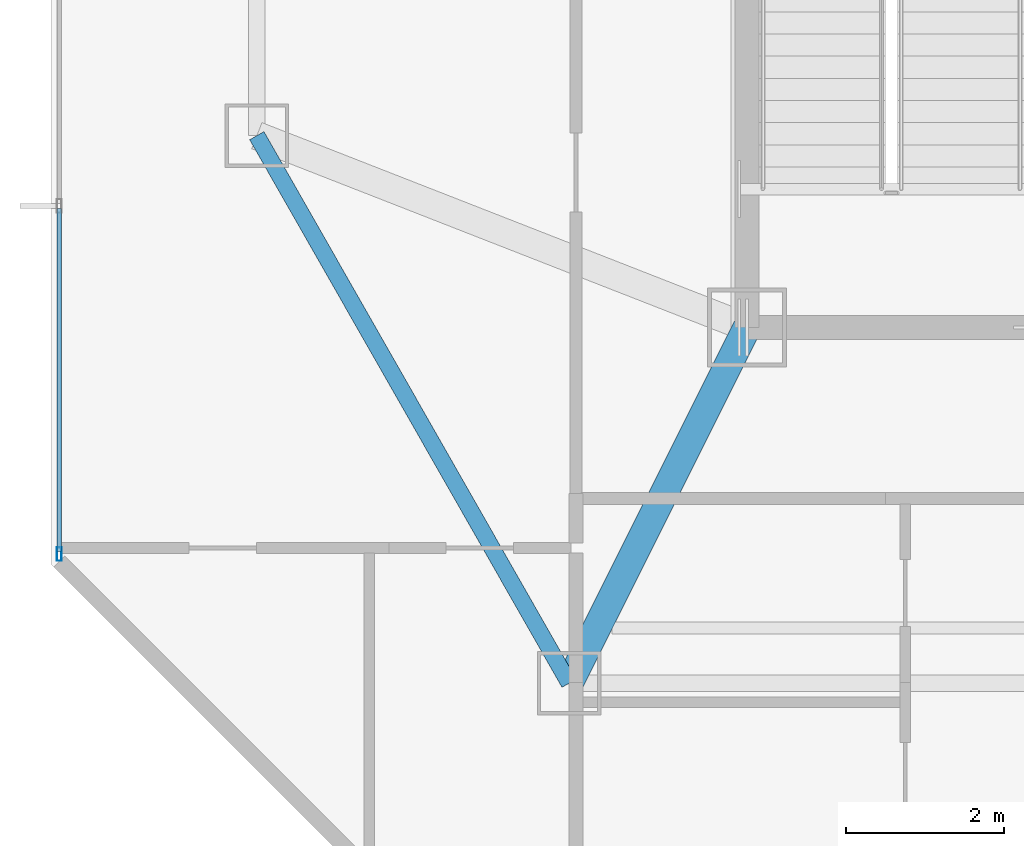
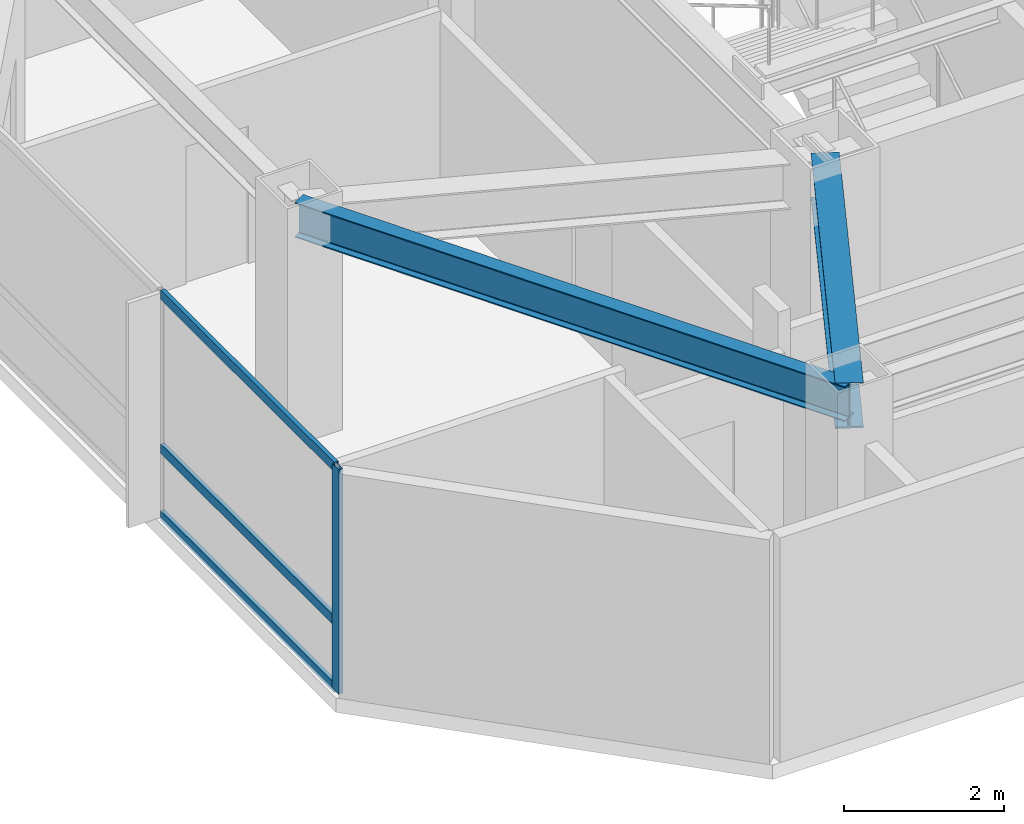
# One storey, part 2 of 14: 4 members, 2 beams, 1 element without a shape of its own.
"""IFC4 building model written with IfcOpenShell, lengths in metres."""

from ifc_helpers import new_model, si_unit, direction, frame, origin, origin_2d, place, context, subcontext, project, spatial, hollow_rectangle, i_section, extrude, material, material_profile, profile_set, type_object, element, aggregate, save


model = new_model("IFC4")

# Units and contexts
model_context = context("Model", 3, precision=1e-05, world=origin(), true_north=direction((0.0, 1.0)))
body_context = subcontext(model_context, "Body", "Model", "MODEL_VIEW")
ifc_project = project(units=[si_unit("LENGTHUNIT", "METRE"), si_unit("AREAUNIT", "SQUARE_METRE"), si_unit("VOLUMEUNIT", "CUBIC_METRE"), si_unit("PLANEANGLEUNIT", "RADIAN"), si_unit("MASSUNIT", "GRAM", prefix="KILO")], contexts=[model_context])

# Site, building, storey
site_placement = place(None, origin())
site = spatial("IfcSite", under=ifc_project, at=site_placement, CompositionType="ELEMENT")
building_placement = place(site_placement, origin())
building = spatial("IfcBuilding", under=site, at=building_placement, Name="Khamvora Tower", CompositionType="ELEMENT")
storey_placement = place(building_placement, frame((0.0, 0.0, 231.800048828125)))
storey = spatial("IfcBuildingStorey", under=building, at=storey_placement, Name="L59", CompositionType="ELEMENT", Elevation=231.800048828125)

# Beams
ifc_material_1 = material(Name="Steel S355", Category="steel")
ifc_material_profile_1 = material_profile(ifc_material_1, i_section(OverallWidth=0.35498046875, OverallDepth=0.695068359375, WebThickness=0.014892578125, FlangeThickness=0.02490234375, FilletRadius=0.01611328125, at=origin_2d()), Name="W690x217")
ifc_profile_set_1 = profile_set([ifc_material_profile_1], Name="Steel S355")
beam_type_1 = type_object("IfcBeamType", Name="BM-PG-W690x217", PredefinedType="BEAM", material=ifc_profile_set_1)
beam_1_placement = place(storey_placement, frame((29.0, 19.0, 3.08203125), z_axis=(-0.4472135955, -0.894427191, 0.0), x_axis=(0.894427191, -0.4472135955, 0.0)))
element("IfcBeam", 1, at=beam_1_placement, inside=storey, type_object=beam_type_1, Name="L59 primary floor girder S1", PredefinedType="BEAM", context=body_context, shape_type="SweptSolid", body=[
    extrude(i_section(OverallWidth=0.35498046875, OverallDepth=0.695068359375, WebThickness=0.014892578125, FlangeThickness=0.02490234375, FilletRadius=0.01611328125, at=origin_2d()), origin(), (0.0, 0.0, 1.0), 5.03125),
])
ifc_material_profile_2 = material_profile(ifc_material_1, i_section(OverallWidth=0.208984375, OverallDepth=0.532958984375, WebThickness=0.010009765625, FlangeThickness=0.01611328125, FilletRadius=0.013916015625, at=origin_2d()), Name="W530x92")
ifc_profile_set_2 = profile_set([ifc_material_profile_2], Name="Steel S355")
beam_type_2 = type_object("IfcBeamType", Name="BM-SP-W530x92", PredefinedType="SPANDREL", material=ifc_profile_set_2)
beam_2_placement = place(storey_placement, frame((22.800048828125, 21.425048828125, 3.162841796875), z_axis=(0.495456118564, -0.868632968853, 0.0), x_axis=(0.868632968853, 0.495456118564, 0.0)))
element("IfcBeam", 2, at=beam_2_placement, inside=storey, type_object=beam_type_2, Name="L59 perimeter spandrel beam W1-S1", PredefinedType="SPANDREL", context=body_context, shape_type="SweptSolid", body=[
    extrude(i_section(OverallWidth=0.208984375, OverallDepth=0.532958984375, WebThickness=0.010009765625, FlangeThickness=0.01611328125, FilletRadius=0.013916015625, at=origin_2d()), origin(), (0.0, 0.0, 1.0), 7.972412109375),
])

# Curtain wall, members
ifc_material_2 = material(Name="Anodised Aluminium 6063-T6", Category="aluminium")
curtain_wall_type = type_object("IfcCurtainWallType", Name="CW-SYS-05", PredefinedType="NOTDEFINED", material=ifc_material_2)
curtain_wall_placement = place(storey_placement, origin())
curtain_wall = element("IfcCurtainWall", 3, at=curtain_wall_placement, inside=storey, type_object=curtain_wall_type, Name="L59 stick curtain wall 02.1", PredefinedType="NOTDEFINED")
ifc_material_profile_3 = material_profile(ifc_material_2, hollow_rectangle(XDim=0.06005859375, YDim=0.175048828125, WallThickness=0.0048828125, at=origin_2d()), Name="MUL60x175x5")
ifc_profile_set_3 = profile_set([ifc_material_profile_3], Name="Anodised Aluminium 6063-T6")
member_type_1 = type_object("IfcMemberType", Name="CW-SYS-05-MUL", PredefinedType="MULLION", material=ifc_profile_set_3)
member_1_placement = place(storey_placement, frame((20.300048828125, 16.134033203125, 0.0), z_axis=(0.0, 0.0, 1.0), x_axis=(-1.0, 0.0, 0.0)))
member_1 = element("IfcMember", 4, at=member_1_placement, type_object=member_type_1, Name="CW-05 mullion 1", PredefinedType="MULLION", context=body_context, shape_type="SweptSolid", body=[
    extrude(hollow_rectangle(XDim=0.06005859375, YDim=0.175048828125, WallThickness=0.0048828125, at=origin_2d()), origin(), (0.0, 0.0, 1.0), 3.429931640625),
])
ifc_material_profile_4 = material_profile(ifc_material_2, hollow_rectangle(XDim=0.06005859375, YDim=0.14501953125, WallThickness=0.0048828125, at=origin_2d()), Name="TRN60x145x5")
ifc_profile_set_4 = profile_set([ifc_material_profile_4], Name="Anodised Aluminium 6063-T6")
member_type_2 = type_object("IfcMemberType", Name="CW-SYS-05-TRN", PredefinedType="USERDEFINED", material=ifc_profile_set_4)
member_2_placement = place(storey_placement, frame((20.300048828125, 16.1640625, 0.030029296875), z_axis=(0.0, 1.0, 0.0), x_axis=(-1.0, 0.0, 0.0)))
member_2 = element("IfcMember", 5, at=member_2_placement, type_object=member_type_2, Name="CW-05 transom 1.1", ObjectType="TRANSOM", PredefinedType="USERDEFINED", context=body_context, shape_type="SweptSolid", body=[
    extrude(hollow_rectangle(XDim=0.06005859375, YDim=0.14501953125, WallThickness=0.0048828125, at=origin_2d()), origin(), (0.0, 0.0, 1.0), 4.341552734375),
])
member_3_placement = place(storey_placement, frame((20.300048828125, 16.1640625, 1.050048828125), z_axis=(0.0, 1.0, 0.0), x_axis=(-1.0, 0.0, 0.0)))
member_3 = element("IfcMember", 6, at=member_3_placement, type_object=member_type_2, Name="CW-05 transom 1.2", ObjectType="TRANSOM", PredefinedType="USERDEFINED", context=body_context, shape_type="SweptSolid", body=[
    extrude(hollow_rectangle(XDim=0.06005859375, YDim=0.14501953125, WallThickness=0.0048828125, at=origin_2d()), origin(), (0.0, 0.0, 1.0), 4.341552734375),
])
member_4_placement = place(storey_placement, frame((20.300048828125, 16.1640625, 3.39990234375), z_axis=(0.0, 1.0, 0.0), x_axis=(-1.0, 0.0, 0.0)))
member_4 = element("IfcMember", 7, at=member_4_placement, type_object=member_type_2, Name="CW-05 transom 1.3", ObjectType="TRANSOM", PredefinedType="USERDEFINED", context=body_context, shape_type="SweptSolid", body=[
    extrude(hollow_rectangle(XDim=0.06005859375, YDim=0.14501953125, WallThickness=0.0048828125, at=origin_2d()), origin(), (0.0, 0.0, 1.0), 4.341552734375),
])
aggregate(curtain_wall, [member_1, member_2, member_3, member_4])

save(model, "model.ifc")
